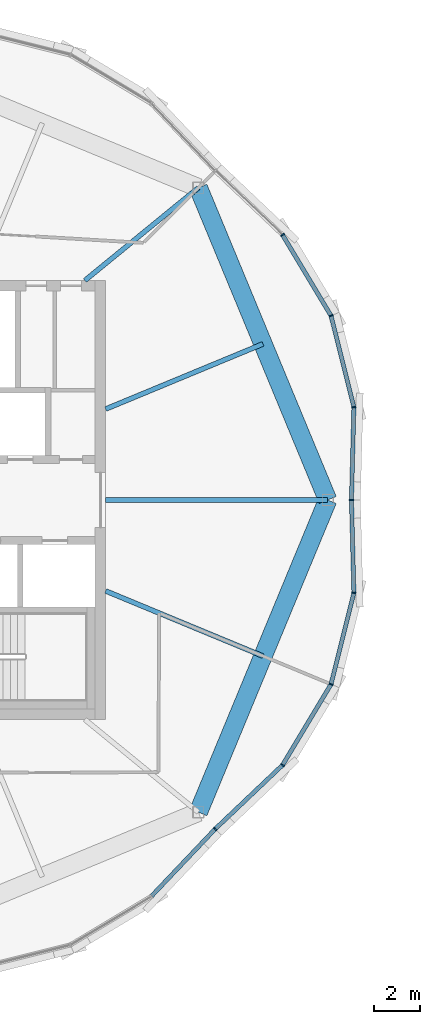
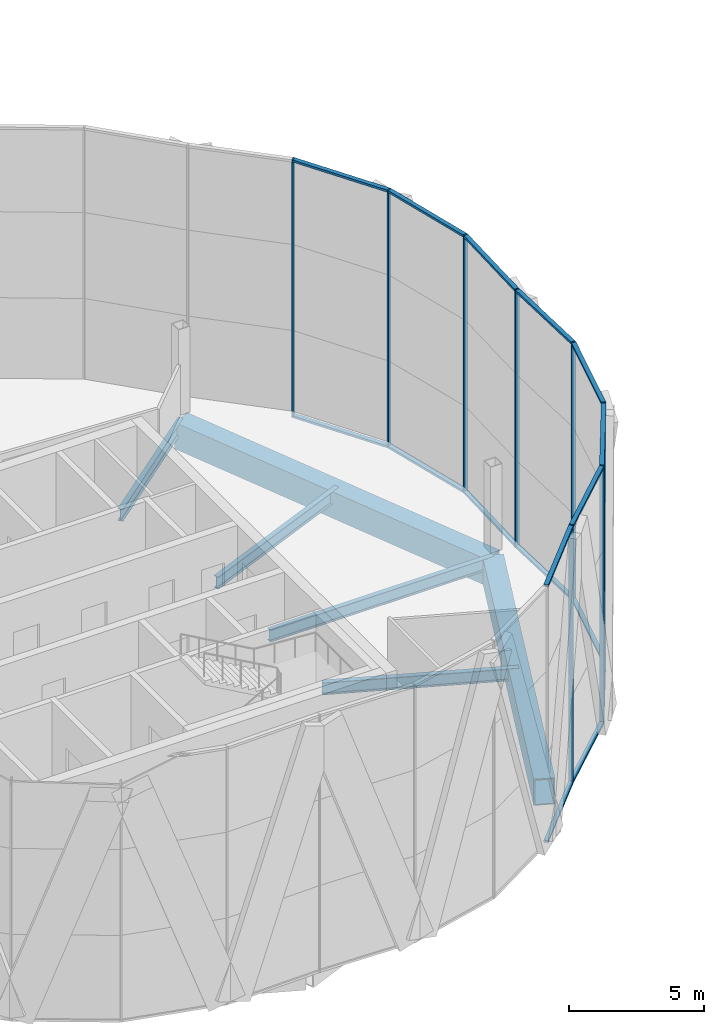
# One storey, part 6 of 22: 24 members, 6 beams, 3 elements without a shape of their own.
"""IFC4 building model written with IfcOpenShell, lengths in metres."""

from ifc_helpers import new_model, si_unit, direction, frame, origin, origin_2d, place, context, subcontext, project, spatial, rectangle, hollow_rectangle, i_section, extrude, material, material_profile, profile_set, type_object, element, aggregate, save


model = new_model("IFC4")

# Units and contexts
model_context = context("Model", 3, precision=1e-05, world=origin(), true_north=direction((0.0, 1.0)))
body_context = subcontext(model_context, "Body", "Model", "MODEL_VIEW")
ifc_project = project(units=[si_unit("LENGTHUNIT", "METRE"), si_unit("AREAUNIT", "SQUARE_METRE"), si_unit("VOLUMEUNIT", "CUBIC_METRE"), si_unit("PLANEANGLEUNIT", "RADIAN"), si_unit("MASSUNIT", "GRAM", prefix="KILO")], contexts=[model_context])

# Site, building, storey
site_placement = place(None, origin())
site = spatial("IfcSite", under=ifc_project, at=site_placement, CompositionType="ELEMENT")
building_placement = place(site_placement, origin())
building = spatial("IfcBuilding", under=site, at=building_placement, Name="Ogive Gate Towers", CompositionType="ELEMENT")
storey_placement = place(building_placement, frame((0.0, 0.0, 228.89990234375)))
storey = spatial("IfcBuildingStorey", under=building, at=storey_placement, Name="L54", CompositionType="ELEMENT", Elevation=228.89990234375)

# Beams
ifc_material_1 = material(Name="Steel SM460", Category="steel")
ifc_material_profile_1 = material_profile(ifc_material_1, hollow_rectangle(XDim=0.800048828125, YDim=1.199951171875, WallThickness=0.050048828125, at=origin_2d()), Name="BX 1200x800x50")
ifc_profile_set_1 = profile_set([ifc_material_profile_1], Name="Steel SM460")
beam_type_1 = type_object("IfcBeamType", Name="Edge girder BX 1200x800x50", PredefinedType="BEAM", material=ifc_profile_set_1)
for number, where, z_axis, x_axis, name in (
    (1, (-22.4873046875, -13.5126953125, -0.89990234375), (0.38269921506, 0.923872994947, 0.0), (-0.923872994947, 0.38269921506, 0.0), "T1/L54/SBM019"),
    (2, (-16.889892578125, 0.0, -0.89990234375), (-0.38269921506, 0.923872994947, 0.0), (-0.923872994947, -0.38269921506, 0.0), "T1/L54/SBM020"),
):
    element("IfcBeam", number, at=place(storey_placement, frame(where, z_axis=z_axis, x_axis=x_axis)), inside=storey, type_object=beam_type_1, Name=name, PredefinedType="BEAM", context=body_context, shape_type="SweptSolid", body=[
        extrude(hollow_rectangle(XDim=0.800048828125, YDim=1.199951171875, WallThickness=0.050048828125, at=origin_2d()), origin(), (0.0, 0.0, 1.0), 14.626220703125),
    ])
ifc_material_2 = material(Name="Steel SM355", Category="steel")
ifc_material_profile_2 = material_profile(ifc_material_2, i_section(OverallWidth=0.2099609375, OverallDepth=0.550048828125, WebThickness=0.010986328125, FlangeThickness=0.01708984375, FilletRadius=0.02392578125, at=origin_2d()), Name="IPE 550")
ifc_profile_set_2 = profile_set([ifc_material_profile_2], Name="Steel SM355")
beam_type_2 = type_object("IfcBeamType", Name="Radial floor beam IPE 550", PredefinedType="BEAM", material=ifc_profile_set_2)
beam_1_placement = place(storey_placement, frame((-26.5, -3.93505859375, -0.574951171875), z_axis=(0.923886069806, -0.382667649558, 0.0), x_axis=(0.382667649558, 0.923886069806, 0.0)))
element("IfcBeam", 3, at=beam_1_placement, inside=storey, type_object=beam_type_2, Name="T1/L54/SBM006", PredefinedType="BEAM", context=body_context, shape_type="SweptSolid", body=[
    extrude(i_section(OverallWidth=0.2099609375, OverallDepth=0.550048828125, WebThickness=0.010986328125, FlangeThickness=0.01708984375, FilletRadius=0.02392578125, at=origin_2d()), origin(), (0.0, 0.0, 1.0), 7.372802734375),
])
beam_2_placement = place(storey_placement, frame((-26.5, 0.0, -0.574951171875), z_axis=(1.0, 0.0, 0.0), x_axis=(0.0, 1.0, 0.0)))
element("IfcBeam", 4, at=beam_2_placement, inside=storey, type_object=beam_type_2, Name="T1/L54/SBM007", PredefinedType="BEAM", context=body_context, shape_type="SweptSolid", body=[
    extrude(i_section(OverallWidth=0.2099609375, OverallDepth=0.550048828125, WebThickness=0.010986328125, FlangeThickness=0.01708984375, FilletRadius=0.02392578125, at=origin_2d()), origin(), (0.0, 0.0, 1.0), 9.610107421875),
])
beam_3_placement = place(storey_placement, frame((-26.5, 3.93505859375, -0.574951171875), z_axis=(0.923886069806, 0.382667649558, 0.0), x_axis=(-0.382667649558, 0.923886069806, 0.0)))
element("IfcBeam", 5, at=beam_3_placement, inside=storey, type_object=beam_type_2, Name="T1/L54/SBM008", PredefinedType="BEAM", context=body_context, shape_type="SweptSolid", body=[
    extrude(i_section(OverallWidth=0.2099609375, OverallDepth=0.550048828125, WebThickness=0.010986328125, FlangeThickness=0.01708984375, FilletRadius=0.02392578125, at=origin_2d()), origin(), (0.0, 0.0, 1.0), 7.372802734375),
])
beam_4_placement = place(storey_placement, frame((-27.39990234375, 9.5, -0.574951171875), z_axis=(0.774474926523, 0.632604606517, 0.0), x_axis=(-0.632604606517, 0.774474926523, 0.0)))
element("IfcBeam", 6, at=beam_4_placement, inside=storey, type_object=beam_type_2, Name="T1/L54/SBM009", PredefinedType="BEAM", context=body_context, shape_type="SweptSolid", body=[
    extrude(i_section(OverallWidth=0.2099609375, OverallDepth=0.550048828125, WebThickness=0.010986328125, FlangeThickness=0.01708984375, FilletRadius=0.02392578125, at=origin_2d()), origin(), (0.0, 0.0, 1.0), 6.343017578125),
])

# Curtain wall, members
ifc_material_3 = material(Name="Pale metal aluminium", Category="aluminium")
curtain_wall_type = type_object("IfcCurtainWallType", Name="Tower unitised wall, high zone", PredefinedType="NOTDEFINED", material=ifc_material_3)
curtain_wall_1_placement = place(storey_placement, origin())
curtain_wall_1 = element("IfcCurtainWall", 7, at=curtain_wall_1_placement, inside=storey, type_object=curtain_wall_type, Name="CW2 T1 ECW01", PredefinedType="NOTDEFINED")
ifc_material_profile_3 = material_profile(ifc_material_3, rectangle(XDim=0.179931640625, YDim=0.06005859375, at=origin_2d()), Name="60 x 180 aluminium box")
ifc_profile_set_3 = profile_set([ifc_material_profile_3], Name="Pale metal aluminium")
member_type_1 = type_object("IfcMemberType", Name="Tower unitised wall, high zone mullion 60 x 180", PredefinedType="MULLION", material=ifc_profile_set_3)
member_1_placement = place(storey_placement, frame((-15.860107421875, 0.000244140625, -0.2998046875), z_axis=(0.0, 0.0, 1.0), x_axis=(0.999655952983, -0.026229290207, 0.0)))
member_1 = element("IfcMember", 8, at=member_1_placement, type_object=member_type_1, Name="CW2 mullion", PredefinedType="MULLION", context=body_context, shape_type="SweptSolid", body=[
    extrude(rectangle(XDim=0.179931640625, YDim=0.06005859375, at=origin_2d()), origin(), (0.0, 0.0, 1.0), 11.699951171875),
])
member_2_placement = place(storey_placement, frame((-15.75439453125, 4.01904296875, -0.2998046875), z_axis=(0.0, 0.0, 1.0), x_axis=(0.994001108417, 0.109369998011, 0.0)))
member_2 = element("IfcMember", 9, at=member_2_placement, type_object=member_type_1, Name="CW2 mullion", PredefinedType="MULLION", context=body_context, shape_type="SweptSolid", body=[
    extrude(rectangle(XDim=0.179931640625, YDim=0.06005859375, at=origin_2d()), origin(), (0.0, 0.0, 1.0), 11.699951171875),
])
member_3_placement = place(storey_placement, frame((-16.745361328125, 7.9755859375, -0.2998046875), z_axis=(0.0, 0.0, 1.0), x_axis=(0.923872853285, 0.382699557047, 0.0)))
member_3 = element("IfcMember", 10, at=member_3_placement, type_object=member_type_1, Name="CW2 mullion", PredefinedType="MULLION", context=body_context, shape_type="SweptSolid", body=[
    extrude(rectangle(XDim=0.179931640625, YDim=0.06005859375, at=origin_2d()), origin(), (0.0, 0.0, 1.0), 11.699951171875),
])
member_4_placement = place(storey_placement, frame((-18.84228515625, 11.473876953125, -0.2998046875), z_axis=(0.0, 0.0, 1.0), x_axis=(0.780201191521, 0.625528657017, 0.0)))
member_4 = element("IfcMember", 11, at=member_4_placement, type_object=member_type_1, Name="CW2 mullion", PredefinedType="MULLION", context=body_context, shape_type="SweptSolid", body=[
    extrude(rectangle(XDim=0.179931640625, YDim=0.06005859375, at=origin_2d()), origin(), (0.0, 0.0, 1.0), 11.699951171875),
])

# Curtain wall, member
curtain_wall_2_placement = place(storey_placement, origin())
curtain_wall_2 = element("IfcCurtainWall", 12, at=curtain_wall_2_placement, inside=storey, type_object=curtain_wall_type, Name="CW2 T1 ECW07", PredefinedType="NOTDEFINED")
member_5_placement = place(storey_placement, frame((-21.759033203125, -14.2412109375, -0.2998046875), z_axis=(0.0, 0.0, 1.0), x_axis=(0.725398398678, -0.688329254932, 0.0)))
member_5 = element("IfcMember", 13, at=member_5_placement, type_object=member_type_1, Name="CW2 mullion", PredefinedType="MULLION", context=body_context, shape_type="SweptSolid", body=[
    extrude(rectangle(XDim=0.179931640625, YDim=0.06005859375, at=origin_2d()), origin(), (0.0, 0.0, 1.0), 11.699951171875),
])

# Curtain wall, members
curtain_wall_3_placement = place(storey_placement, origin())
curtain_wall_3 = element("IfcCurtainWall", 14, at=curtain_wall_3_placement, inside=storey, type_object=curtain_wall_type, Name="CW2 T1 ECW08", PredefinedType="NOTDEFINED")
member_6_placement = place(storey_placement, frame((-18.84228515625, -11.473876953125, -0.2998046875), z_axis=(0.0, 0.0, 1.0), x_axis=(0.780201191521, -0.625528657017, 0.0)))
member_6 = element("IfcMember", 15, at=member_6_placement, type_object=member_type_1, Name="CW2 mullion", PredefinedType="MULLION", context=body_context, shape_type="SweptSolid", body=[
    extrude(rectangle(XDim=0.179931640625, YDim=0.06005859375, at=origin_2d()), origin(), (0.0, 0.0, 1.0), 11.699951171875),
])
member_7_placement = place(storey_placement, frame((-16.745361328125, -7.9755859375, -0.2998046875), z_axis=(0.0, 0.0, 1.0), x_axis=(0.923872853285, -0.382699557047, 0.0)))
member_7 = element("IfcMember", 16, at=member_7_placement, type_object=member_type_1, Name="CW2 mullion", PredefinedType="MULLION", context=body_context, shape_type="SweptSolid", body=[
    extrude(rectangle(XDim=0.179931640625, YDim=0.06005859375, at=origin_2d()), origin(), (0.0, 0.0, 1.0), 11.699951171875),
])
member_8_placement = place(storey_placement, frame((-15.75439453125, -4.01904296875, -0.2998046875), z_axis=(0.0, 0.0, 1.0), x_axis=(0.994001108417, -0.109369998011, 0.0)))
member_8 = element("IfcMember", 17, at=member_8_placement, type_object=member_type_1, Name="CW2 mullion", PredefinedType="MULLION", context=body_context, shape_type="SweptSolid", body=[
    extrude(rectangle(XDim=0.179931640625, YDim=0.06005859375, at=origin_2d()), origin(), (0.0, 0.0, 1.0), 11.699951171875),
])

# Member
ifc_material_profile_4 = material_profile(ifc_material_3, rectangle(XDim=0.179931640625, YDim=0.10009765625, at=origin_2d()), Name="100 x 180 aluminium box")
ifc_profile_set_4 = profile_set([ifc_material_profile_4], Name="Pale metal aluminium")
member_type_2 = type_object("IfcMemberType", Name="Tower unitised wall, high zone transom 100 x 180", PredefinedType="USERDEFINED", material=ifc_profile_set_4)
member_9_placement = place(storey_placement, frame((-15.859130859375, 0.0302734375, 11.35009765625), z_axis=(0.026191615796, 0.999656940786, 0.0), x_axis=(-0.999656940786, 0.026191615796, 0.0)))
member_9 = element("IfcMember", 18, at=member_9_placement, type_object=member_type_2, Name="CW2 transom", ObjectType="TRANSOM", PredefinedType="USERDEFINED", context=body_context, shape_type="SweptSolid", body=[
    extrude(rectangle(XDim=0.179931640625, YDim=0.10009765625, at=origin_2d()), origin(), (0.0, 0.0, 1.0), 3.961669921875),
])

member_10_placement = place(storey_placement, frame((-15.859130859375, 0.0302734375, -0.25), z_axis=(0.026191615796, 0.999656940786, 0.0), x_axis=(-0.999656940786, 0.026191615796, 0.0)))
member_10 = element("IfcMember", 19, at=member_10_placement, type_object=member_type_2, Name="CW2 transom", ObjectType="TRANSOM", PredefinedType="USERDEFINED", context=body_context, shape_type="SweptSolid", body=[
    extrude(rectangle(XDim=0.179931640625, YDim=0.10009765625, at=origin_2d()), origin(), (0.0, 0.0, 1.0), 3.961669921875),
])

member_11_placement = place(storey_placement, frame((-15.761474609375, 4.046875, 11.35009765625), z_axis=(-0.242949839653, 0.970038852527, 0.0), x_axis=(-0.970038852527, -0.242949839653, 0.0)))
member_11 = element("IfcMember", 20, at=member_11_placement, type_object=member_type_2, Name="CW2 transom", ObjectType="TRANSOM", PredefinedType="USERDEFINED", context=body_context, shape_type="SweptSolid", body=[
    extrude(rectangle(XDim=0.179931640625, YDim=0.10009765625, at=origin_2d()), origin(), (0.0, 0.0, 1.0), 4.021728515625),
])

member_12_placement = place(storey_placement, frame((-15.761474609375, 4.046875, -0.25), z_axis=(-0.242949839653, 0.970038852527, 0.0), x_axis=(-0.970038852527, -0.242949839653, 0.0)))
member_12 = element("IfcMember", 21, at=member_12_placement, type_object=member_type_2, Name="CW2 transom", ObjectType="TRANSOM", PredefinedType="USERDEFINED", context=body_context, shape_type="SweptSolid", body=[
    extrude(rectangle(XDim=0.179931640625, YDim=0.10009765625, at=origin_2d()), origin(), (0.0, 0.0, 1.0), 4.021728515625),
])

member_13_placement = place(storey_placement, frame((-16.760009765625, 8.0, 11.35009765625), z_axis=(-0.514192185894, 0.857674994369, 0.0), x_axis=(-0.857674994369, -0.514192185894, 0.0)))
member_13 = element("IfcMember", 22, at=member_13_placement, type_object=member_type_2, Name="CW2 transom", ObjectType="TRANSOM", PredefinedType="USERDEFINED", context=body_context, shape_type="SweptSolid", body=[
    extrude(rectangle(XDim=0.179931640625, YDim=0.10009765625, at=origin_2d()), origin(), (0.0, 0.0, 1.0), 4.021484375),
])

member_14_placement = place(storey_placement, frame((-16.760009765625, 8.0, -0.25), z_axis=(-0.514192185894, 0.857674994369, 0.0), x_axis=(-0.857674994369, -0.514192185894, 0.0)))
member_14 = element("IfcMember", 23, at=member_14_placement, type_object=member_type_2, Name="CW2 transom", ObjectType="TRANSOM", PredefinedType="USERDEFINED", context=body_context, shape_type="SweptSolid", body=[
    extrude(rectangle(XDim=0.179931640625, YDim=0.10009765625, at=origin_2d()), origin(), (0.0, 0.0, 1.0), 4.021484375),
])

aggregate(curtain_wall_1, [member_1, member_2, member_9, member_10, member_3, member_11, member_12, member_4, member_13, member_14])

member_15_placement = place(storey_placement, frame((-24.506591796875, -17.13671875, 11.35009765625), z_axis=(0.688344427375, 0.725384001272, 0.0), x_axis=(-0.725384001272, 0.688344427375, 0.0)))
member_15 = element("IfcMember", 24, at=member_15_placement, type_object=member_type_2, Name="CW2 transom", ObjectType="TRANSOM", PredefinedType="USERDEFINED", context=body_context, shape_type="SweptSolid", body=[
    extrude(rectangle(XDim=0.179931640625, YDim=0.10009765625, at=origin_2d()), origin(), (0.0, 0.0, 1.0), 3.96142578125),
])

member_16_placement = place(storey_placement, frame((-24.506591796875, -17.13671875, -0.25), z_axis=(0.688344427375, 0.725384001272, 0.0), x_axis=(-0.725384001272, 0.688344427375, 0.0)))
member_16 = element("IfcMember", 25, at=member_16_placement, type_object=member_type_2, Name="CW2 transom", ObjectType="TRANSOM", PredefinedType="USERDEFINED", context=body_context, shape_type="SweptSolid", body=[
    extrude(rectangle(XDim=0.179931640625, YDim=0.10009765625, at=origin_2d()), origin(), (0.0, 0.0, 1.0), 3.96142578125),
])

aggregate(curtain_wall_2, [member_5, member_15, member_16])

member_17_placement = place(storey_placement, frame((-21.73681640625, -14.22021484375, 11.35009765625), z_axis=(0.725384001272, 0.688344427375, 0.0), x_axis=(-0.688344427375, 0.725384001272, 0.0)))
member_17 = element("IfcMember", 26, at=member_17_placement, type_object=member_type_2, Name="CW2 transom", ObjectType="TRANSOM", PredefinedType="USERDEFINED", context=body_context, shape_type="SweptSolid", body=[
    extrude(rectangle(XDim=0.179931640625, YDim=0.10009765625, at=origin_2d()), origin(), (0.0, 0.0, 1.0), 3.96142578125),
])

member_18_placement = place(storey_placement, frame((-21.73681640625, -14.22021484375, -0.25), z_axis=(0.725384001272, 0.688344427375, 0.0), x_axis=(-0.688344427375, 0.725384001272, 0.0)))
member_18 = element("IfcMember", 27, at=member_18_placement, type_object=member_type_2, Name="CW2 transom", ObjectType="TRANSOM", PredefinedType="USERDEFINED", context=body_context, shape_type="SweptSolid", body=[
    extrude(rectangle(XDim=0.179931640625, YDim=0.10009765625, at=origin_2d()), origin(), (0.0, 0.0, 1.0), 3.96142578125),
])

member_19_placement = place(storey_placement, frame((-18.827880859375, -11.44921875, 11.35009765625), z_axis=(0.514192185894, 0.857674994369, 0.0), x_axis=(-0.857674994369, 0.514192185894, 0.0)))
member_19 = element("IfcMember", 28, at=member_19_placement, type_object=member_type_2, Name="CW2 transom", ObjectType="TRANSOM", PredefinedType="USERDEFINED", context=body_context, shape_type="SweptSolid", body=[
    extrude(rectangle(XDim=0.179931640625, YDim=0.10009765625, at=origin_2d()), origin(), (0.0, 0.0, 1.0), 4.021484375),
])

member_20_placement = place(storey_placement, frame((-18.827880859375, -11.44921875, -0.25), z_axis=(0.514192185894, 0.857674994369, 0.0), x_axis=(-0.857674994369, 0.514192185894, 0.0)))
member_20 = element("IfcMember", 29, at=member_20_placement, type_object=member_type_2, Name="CW2 transom", ObjectType="TRANSOM", PredefinedType="USERDEFINED", context=body_context, shape_type="SweptSolid", body=[
    extrude(rectangle(XDim=0.179931640625, YDim=0.10009765625, at=origin_2d()), origin(), (0.0, 0.0, 1.0), 4.021484375),
])

member_21_placement = place(storey_placement, frame((-16.738525390625, -7.947998046875, 11.35009765625), z_axis=(0.242949839653, 0.970038852527, 0.0), x_axis=(-0.970038852527, 0.242949839653, 0.0)))
member_21 = element("IfcMember", 30, at=member_21_placement, type_object=member_type_2, Name="CW2 transom", ObjectType="TRANSOM", PredefinedType="USERDEFINED", context=body_context, shape_type="SweptSolid", body=[
    extrude(rectangle(XDim=0.179931640625, YDim=0.10009765625, at=origin_2d()), origin(), (0.0, 0.0, 1.0), 4.021728515625),
])

member_22_placement = place(storey_placement, frame((-16.738525390625, -7.947998046875, -0.25), z_axis=(0.242949839653, 0.970038852527, 0.0), x_axis=(-0.970038852527, 0.242949839653, 0.0)))
member_22 = element("IfcMember", 31, at=member_22_placement, type_object=member_type_2, Name="CW2 transom", ObjectType="TRANSOM", PredefinedType="USERDEFINED", context=body_context, shape_type="SweptSolid", body=[
    extrude(rectangle(XDim=0.179931640625, YDim=0.10009765625, at=origin_2d()), origin(), (0.0, 0.0, 1.0), 4.021728515625),
])

member_23_placement = place(storey_placement, frame((-15.75537109375, -3.990478515625, 11.35009765625), z_axis=(-0.026191615796, 0.999656940786, 0.0), x_axis=(-0.999656940786, -0.026191615796, 0.0)))
member_23 = element("IfcMember", 32, at=member_23_placement, type_object=member_type_2, Name="CW2 transom", ObjectType="TRANSOM", PredefinedType="USERDEFINED", context=body_context, shape_type="SweptSolid", body=[
    extrude(rectangle(XDim=0.179931640625, YDim=0.10009765625, at=origin_2d()), origin(), (0.0, 0.0, 1.0), 3.961669921875),
])

member_24_placement = place(storey_placement, frame((-15.75537109375, -3.990478515625, -0.25), z_axis=(-0.026191615796, 0.999656940786, 0.0), x_axis=(-0.999656940786, -0.026191615796, 0.0)))
member_24 = element("IfcMember", 33, at=member_24_placement, type_object=member_type_2, Name="CW2 transom", ObjectType="TRANSOM", PredefinedType="USERDEFINED", context=body_context, shape_type="SweptSolid", body=[
    extrude(rectangle(XDim=0.179931640625, YDim=0.10009765625, at=origin_2d()), origin(), (0.0, 0.0, 1.0), 3.961669921875),
])

aggregate(curtain_wall_3, [member_6, member_17, member_18, member_7, member_19, member_20, member_8, member_21, member_22, member_23, member_24])

save(model, "model.ifc")
